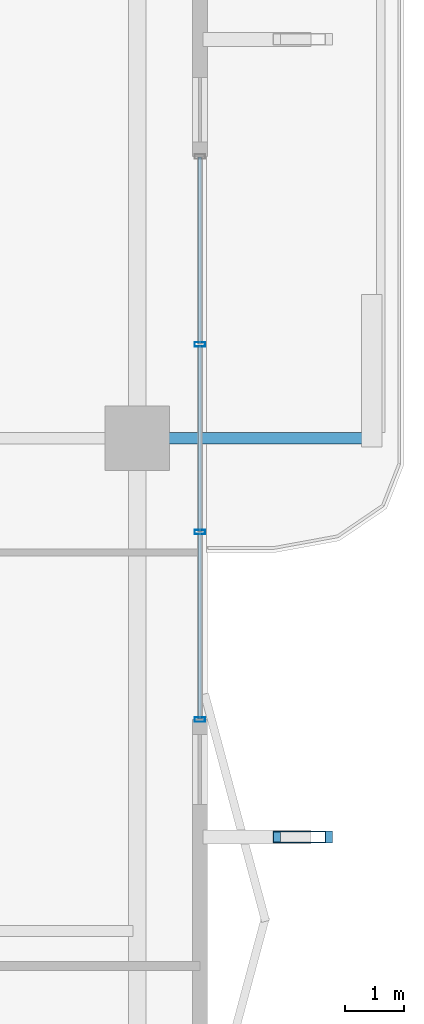
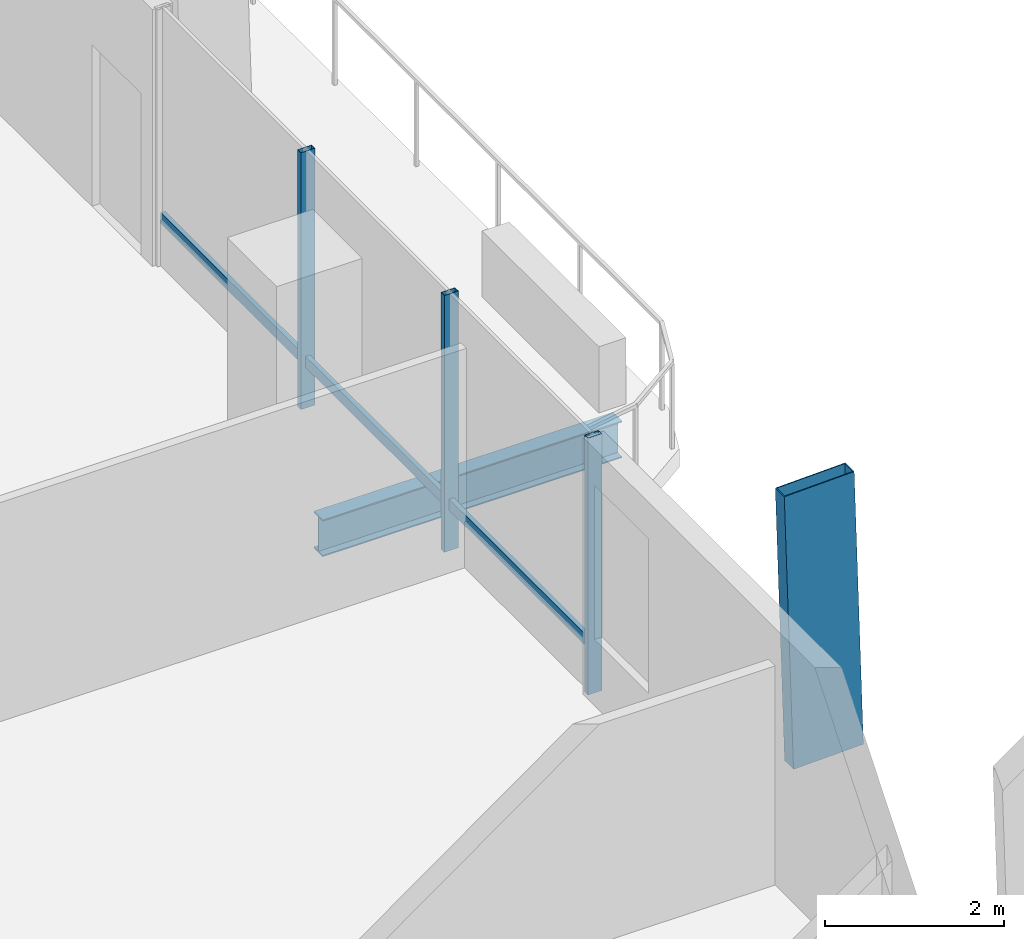
# One storey, part 10 of 24: 7 members, 1 beam, 1 element without a shape of its own.
"""IFC4 building model written with IfcOpenShell, lengths in metres."""

import ifcopenshell
import ifcopenshell.guid

model = None  # the IFC model being written
_history = None  # IfcOwnerHistory: only IFC2X3 demands one
_inside = {}  # id of a spatial element -> (the spatial element, [elements in it])
_under = {}  # id of a project, library or spatial element -> (it, [spatial elements below it])
_declared = {}  # id of a project -> (the project, [libraries it declares])
_typed = {}  # id of a type object -> (the type object, [elements of that type])
_made_of = {}  # id of a material, layer set ... -> (it, [elements and type objects made of it])


def new_model(schema):
    """Start an empty IFC model of exactly this schema.

    Asked for "IFC4X3", IfcOpenShell would pick the latest addendum, in which some entities
    have other attributes; the version numbers below select the first issue.
    IFC2X3 requires an IfcOwnerHistory on every rooted entity: one is made here for all.
    """
    global model, _history
    if schema == "IFC4X3":
        model = ifcopenshell.file(schema_version=(4, 3, 0, 0))
    else:
        model = ifcopenshell.file(schema=schema)
    _inside.clear()
    _under.clear()
    _declared.clear()
    _typed.clear()
    _made_of.clear()
    _history = None
    if model.schema == "IFC2X3":
        org = make("IfcOrganization", Name="unknown")
        user = make(
            "IfcPersonAndOrganization",
            ThePerson=make("IfcPerson", FamilyName="unknown"),
            TheOrganization=org,
        )
        app = make(
            "IfcApplication",
            ApplicationDeveloper=org,
            Version="unknown",
            ApplicationFullName="unknown",
            ApplicationIdentifier="unknown",
        )
        _history = make(
            "IfcOwnerHistory",
            OwningUser=user,
            OwningApplication=app,
            ChangeAction="ADDED",
            CreationDate=0,
        )
    return model


def make(cls, **values):
    """One entity of the class cls with the attributes given. An attribute that is None is left unset."""
    return model.create_entity(
        cls, **{name: value for name, value in values.items() if value is not None}
    )


def rooted(cls, **values):
    """An entity with a GlobalId (a new one), such as an element, a storey or a relation."""
    return make(cls, GlobalId=ifcopenshell.guid.new(), OwnerHistory=_history, **values)


def si_unit(unit_type, name, prefix=None):
    """IfcSIUnit, for example si_unit("LENGTHUNIT", "METRE", prefix="MILLI")."""
    return make("IfcSIUnit", UnitType=unit_type, Prefix=prefix, Name=name)


def assignment(units):
    """IfcUnitAssignment: the units of a project."""
    return None if units is None else make("IfcUnitAssignment", Units=units)


def point(xyz):
    """IfcCartesianPoint."""
    return None if xyz is None else make("IfcCartesianPoint", Coordinates=xyz)


def direction(xyz):
    """IfcDirection."""
    return None if xyz is None else make("IfcDirection", DirectionRatios=xyz)


def frame(location, z_axis=None, x_axis=None):
    """IfcAxis2Placement3D, a coordinate frame: its origin and axes. An axis left out is left unset."""
    return make(
        "IfcAxis2Placement3D",
        Location=point(location),
        Axis=direction(z_axis),
        RefDirection=direction(x_axis),
    )


def frame_2d(location, x_axis=None):
    """IfcAxis2Placement2D, a coordinate frame in the plane: its origin and x axis."""
    return make(
        "IfcAxis2Placement2D", Location=point(location), RefDirection=direction(x_axis)
    )


def origin():
    """The frame at (0, 0, 0) with its axes left unset."""
    return frame((0.0, 0.0, 0.0))


def origin_2d():
    """The frame at (0, 0) in the plane with its x axis left unset."""
    return frame_2d((0.0, 0.0))


def place(relative_to, where):
    """IfcLocalPlacement: puts the frame where relative to a parent placement (None: the world)."""
    return make(
        "IfcLocalPlacement", PlacementRelTo=relative_to, RelativePlacement=where
    )


def context(
    kind, dimensions, precision=None, world=None, true_north=None, identifier=None
):
    """IfcGeometricRepresentationContext, for example the 3D "Model" context."""
    return make(
        "IfcGeometricRepresentationContext",
        ContextIdentifier=identifier,
        ContextType=kind,
        CoordinateSpaceDimension=dimensions,
        Precision=precision,
        WorldCoordinateSystem=world,
        TrueNorth=true_north,
    )


def subcontext(parent, identifier, kind, view, scale=None):
    """IfcGeometricRepresentationSubContext, for example "Body" below "Model"."""
    return make(
        "IfcGeometricRepresentationSubContext",
        ContextIdentifier=identifier,
        ContextType=kind,
        ParentContext=parent,
        TargetScale=scale,
        TargetView=view,
    )


def project(units=None, contexts=None):
    """IfcProject with its units and contexts."""
    return rooted(
        "IfcProject",
        Name="project",
        RepresentationContexts=contexts,
        UnitsInContext=assignment(units),
    )


def spatial(cls, under=None, at=None, **own):
    """A site, building, storey or space (cls), placed at a placement, below another one or the project."""
    s = rooted(cls, ObjectPlacement=at, **own)
    if under is not None:
        _under.setdefault(under.id(), (under, []))[1].append(s)
    return s


def profile(cls, at=None, kind="AREA", **sizes):
    """A parametric profile (cls). Its sizes go by their IFC names, for example OverallWidth=200.0."""
    return make(cls, ProfileType=kind, Position=at, **sizes)


def hollow_rectangle(**sizes):
    """IfcRectangleHollowProfileDef."""
    return profile("IfcRectangleHollowProfileDef", **sizes)


def i_section(**sizes):
    """IfcIShapeProfileDef."""
    return profile("IfcIShapeProfileDef", **sizes)


def extrude(swept, where, along, depth):
    """IfcExtrudedAreaSolid: the profile swept, set in the frame where, extruded along a direction by depth."""
    return make(
        "IfcExtrudedAreaSolid",
        SweptArea=swept,
        Position=where,
        ExtrudedDirection=direction(along),
        Depth=depth,
    )


def shape(context_of_items, identifier, shape_type, items):
    """IfcShapeRepresentation: the items that make up one representation, for example the "Body"."""
    return make(
        "IfcShapeRepresentation",
        ContextOfItems=context_of_items,
        RepresentationIdentifier=identifier,
        RepresentationType=shape_type,
        Items=items,
    )


def material(Name=None, Category=None):
    """IfcMaterial."""
    return make("IfcMaterial", Name=Name, Category=Category)


def layer(
    of_material, thickness, ventilated=None, Name=None, Category=None, Priority=None
):
    """IfcMaterialLayer: one layer of a wall or slab, of a material (None: an air gap)."""
    return make(
        "IfcMaterialLayer",
        Material=of_material,
        LayerThickness=thickness,
        IsVentilated=ventilated,
        Name=Name,
        Category=Category,
        Priority=Priority,
    )


def layer_set(layers, Name=None):
    """IfcMaterialLayerSet."""
    return make("IfcMaterialLayerSet", MaterialLayers=layers, LayerSetName=Name)


def material_profile(
    of_material, cross_section, Name=None, Category=None, Priority=None
):
    """IfcMaterialProfile: a cross section and its material."""
    return make(
        "IfcMaterialProfile",
        Name=Name,
        Material=of_material,
        Profile=cross_section,
        Priority=Priority,
        Category=Category,
    )


def profile_set(profiles, Name=None, composite=None):
    """IfcMaterialProfileSet."""
    return make(
        "IfcMaterialProfileSet",
        Name=Name,
        MaterialProfiles=profiles,
        CompositeProfile=composite,
    )


def made_of(thing, what):
    """Note that an element or type object is made of a material, layer set ...; save() writes the relation."""
    if what is not None:
        _made_of.setdefault(what.id(), (what, []))[1].append(thing)
    return thing


def type_object(cls, material=None, **own):
    """A type object (cls), such as IfcWallType, which elements share."""
    return made_of(rooted(cls, **own), material)


def element(
    cls,
    number,
    at=None,
    inside=None,
    cuts=None,
    type_object=None,
    material=None,
    context=None,
    identifier="Body",
    shape_type=None,
    held_by="IfcProductDefinitionShape",
    body=None,
    shapes=None,
    **own,
):
    """One element of the class cls, such as IfcWall. Its Tag is "e" and its number.

    at: its placement. inside: the storey or other place that contains it. cuts: it is an
    opening in that element (IfcRelVoidsElement). A single representation is given by context,
    identifier, shape_type and body (its items); several are given by shapes. held_by: the class
    of the entity that holds the representations. save() writes the other relations.
    """
    e = rooted(cls, Tag="e%d" % number, ObjectPlacement=at, **own)
    if body is not None:
        shapes = [shape(context, identifier, shape_type, body)]
    if shapes is not None:
        e.Representation = make(held_by, Representations=shapes)
    if inside is not None:
        _inside.setdefault(inside.id(), (inside, []))[1].append(e)
    if cuts is not None:
        rooted(
            "IfcRelVoidsElement", RelatingBuildingElement=cuts, RelatedOpeningElement=e
        )
    if type_object is not None:
        _typed.setdefault(type_object.id(), (type_object, []))[1].append(e)
    return made_of(e, material)


def aggregate(whole, parts):
    """IfcRelAggregates: a whole, such as a stair, and the parts it consists of."""
    return rooted("IfcRelAggregates", RelatingObject=whole, RelatedObjects=parts)


def save(model, path):
    """Write the relations noted so far, then the file.

    IfcRelAggregates (storeys below a building ...), IfcRelContainedInSpatialStructure (elements
    in a storey), IfcRelDefinesByType, IfcRelAssociatesMaterial and IfcRelDeclares: one each for
    every whole, place, type object, material and project.
    """
    for whole, parts in _under.values():
        aggregate(whole, parts)
    for where, things in _inside.values():
        rooted(
            "IfcRelContainedInSpatialStructure",
            RelatedElements=things,
            RelatingStructure=where,
        )
    for kind, things in _typed.values():
        rooted("IfcRelDefinesByType", RelatedObjects=things, RelatingType=kind)
    for what, things in _made_of.values():
        rooted("IfcRelAssociatesMaterial", RelatedObjects=things, RelatingMaterial=what)
    for by, libraries in _declared.values():
        rooted("IfcRelDeclares", RelatingContext=by, RelatedDefinitions=libraries)
    model.write(path)


model = new_model("IFC4")

# Units and contexts
model_context = context("Model", 3, precision=1e-05, world=origin(), true_north=direction((0.0, 1.0)))
body_context = subcontext(model_context, "Body", "Model", "MODEL_VIEW")
ifc_project = project(units=[si_unit("LENGTHUNIT", "METRE"), si_unit("AREAUNIT", "SQUARE_METRE"), si_unit("VOLUMEUNIT", "CUBIC_METRE"), si_unit("PLANEANGLEUNIT", "RADIAN"), si_unit("MASSUNIT", "GRAM", prefix="KILO")], contexts=[model_context])

# Site, building, storey
site_placement = place(None, origin())
site = spatial("IfcSite", under=ifc_project, at=site_placement, CompositionType="ELEMENT")
building_placement = place(site_placement, origin())
building = spatial("IfcBuilding", under=site, at=building_placement, Name="Belovzor Exchange Tower", CompositionType="ELEMENT")
storey_placement = place(building_placement, frame((0.0, 0.0, 145.800048828125)))
storey = spatial("IfcBuildingStorey", under=building, at=storey_placement, Name="L35", CompositionType="ELEMENT", Elevation=145.800048828125)

# Beam
ifc_material_1 = material(Name="Steel S355", Category="steel")
ifc_material_profile_1 = material_profile(ifc_material_1, i_section(OverallWidth=0.199951171875, OverallDepth=0.5, WebThickness=0.01025390625, FlangeThickness=0.01611328125, at=origin_2d()))
ifc_profile_set_1 = profile_set([ifc_material_profile_1], Name="Steel S355")
beam_type = type_object("IfcBeamType", Name="Planted Balcony Cantilever Beam IPE 500", PredefinedType="BEAM", material=ifc_profile_set_1)
beam_placement = place(storey_placement, frame((52.202880859375, 28.800048828125, -0.505126953125), z_axis=(1.0, 0.0, 0.0), x_axis=(0.0, 1.0, 0.0)))
element("IfcBeam", 1, at=beam_placement, inside=storey, type_object=beam_type, Name="BC-500 Planted Balcony Cantilever Beam IPE 500", PredefinedType="BEAM", context=body_context, shape_type="SweptSolid", body=[
    extrude(i_section(OverallWidth=0.199951171875, OverallDepth=0.5, WebThickness=0.01025390625, FlangeThickness=0.01611328125, at=origin_2d()), origin(), (0.0, 0.0, 1.0), 3.85009765625),
])

# Member
ifc_material_2 = material(Name="Extruded Architectural Terracotta on Steel S355 Carrier", Category="masonry")
ifc_material_profile_2 = material_profile(ifc_material_2, hollow_rectangle(XDim=0.199951171875, YDim=0.89990234375, WallThickness=0.011962890625, at=origin_2d()))
ifc_profile_set_2 = profile_set([ifc_material_profile_2], Name="Extruded Architectural Terracotta on Steel S355 Carrier")
member_type_1 = type_object("IfcMemberType", Name="Sweeping Terracotta Baguette Fin Assembly 1250", PredefinedType="USERDEFINED", material=ifc_profile_set_2)
member_1_placement = place(storey_placement, frame((54.782958984375, 22.0, -0.255126953125), z_axis=(-0.031689805028, 0.0, 0.999497752002), x_axis=(0.0, -1.0, 0.0)))
element("IfcMember", 2, at=member_1_placement, inside=storey, type_object=member_type_1, Name="FIN-TC125 Terracotta Facade Fin L35 E2", ObjectType="FIN", PredefinedType="USERDEFINED", context=body_context, shape_type="SweptSolid", body=[
    extrude(hollow_rectangle(XDim=0.199951171875, YDim=0.89990234375, WallThickness=0.011962890625, at=origin_2d()), origin(), (0.0, 0.0, 1.0), 3.751953125),
])

# Curtain wall, members
ifc_material_3 = material(Name="Anodised Aluminium Framing", Category="aluminium")
ifc_layer = layer(ifc_material_3, 0.179931640625)
ifc_layer_set = layer_set([ifc_layer], Name="Anodised Aluminium Framing")
curtain_wall_type = type_object("IfcCurtainWallType", Name="Recessed Loggia Low-Iron Triple-Glazed Curtain Wall", PredefinedType="NOTDEFINED", material=ifc_layer_set)
curtain_wall_placement = place(storey_placement, origin())
curtain_wall = element("IfcCurtainWall", 3, at=curtain_wall_placement, inside=storey, type_object=curtain_wall_type, Name="CW3 Recessed Loggia Low-Iron Triple-Glazed Curtain Wall L35", PredefinedType="NOTDEFINED")
ifc_material_4 = material(Name="Steel S355", Category="steel")
ifc_material_profile_3 = material_profile(ifc_material_4, hollow_rectangle(XDim=0.074951171875, YDim=0.179931640625, WallThickness=0.0048828125, at=origin_2d()))
ifc_profile_set_3 = profile_set([ifc_material_profile_3], Name="Steel S355")
member_type_2 = type_object("IfcMemberType", Name="Thermally Broken Curtain Wall Mullion 180x75", PredefinedType="MULLION", material=ifc_profile_set_3)
member_2_placement = place(storey_placement, frame((52.969970703125, 30.39990234375, 0.0), z_axis=(0.0, 0.0, 1.0), x_axis=(0.0, -1.0, 0.0)))
member_2 = element("IfcMember", 4, at=member_2_placement, type_object=member_type_2, Name="CW-M180 Curtain Wall Mullion 2", PredefinedType="MULLION", context=body_context, shape_type="SweptSolid", body=[
    extrude(hollow_rectangle(XDim=0.074951171875, YDim=0.179931640625, WallThickness=0.0048828125, at=origin_2d()), origin(), (0.0, 0.0, 1.0), 3.494873046875),
])
member_3_placement = place(storey_placement, frame((52.969970703125, 27.199951171875, 0.0), z_axis=(0.0, 0.0, 1.0), x_axis=(0.0, -1.0, 0.0)))
member_3 = element("IfcMember", 5, at=member_3_placement, type_object=member_type_2, Name="CW-M180 Curtain Wall Mullion 3", PredefinedType="MULLION", context=body_context, shape_type="SweptSolid", body=[
    extrude(hollow_rectangle(XDim=0.074951171875, YDim=0.179931640625, WallThickness=0.0048828125, at=origin_2d()), origin(), (0.0, 0.0, 1.0), 3.494873046875),
])
member_4_placement = place(storey_placement, frame((52.969970703125, 24.0, 0.0), z_axis=(0.0, 0.0, 1.0), x_axis=(0.0, -1.0, 0.0)))
member_4 = element("IfcMember", 6, at=member_4_placement, type_object=member_type_2, Name="CW-M180 Curtain Wall Mullion 4", PredefinedType="MULLION", context=body_context, shape_type="SweptSolid", body=[
    extrude(hollow_rectangle(XDim=0.074951171875, YDim=0.179931640625, WallThickness=0.0048828125, at=origin_2d()), origin(), (0.0, 0.0, 1.0), 3.494873046875),
])
ifc_material_5 = material(Name="Steel S355", Category="steel")
ifc_material_profile_4 = material_profile(ifc_material_5, hollow_rectangle(XDim=0.06005859375, YDim=0.14990234375, WallThickness=0.00390625, at=origin_2d()))
ifc_profile_set_4 = profile_set([ifc_material_profile_4], Name="Steel S355")
member_type_3 = type_object("IfcMemberType", Name="Thermally Broken Curtain Wall Transom 150x60", PredefinedType="USERDEFINED", material=ifc_profile_set_4)
member_5_placement = place(storey_placement, frame((52.969970703125, 33.592041015625, 0.62890625), z_axis=(0.0, -1.0, 0.0), x_axis=(1.0, 0.0, 0.0)))
member_5 = element("IfcMember", 7, at=member_5_placement, type_object=member_type_3, Name="CW-T150 Curtain Wall Transom 1", ObjectType="TRANSOM", PredefinedType="USERDEFINED", context=body_context, shape_type="SweptSolid", body=[
    extrude(hollow_rectangle(XDim=0.06005859375, YDim=0.14990234375, WallThickness=0.00390625, at=origin_2d()), origin(), (0.0, 0.0, 1.0), 3.18408203125),
])
member_6_placement = place(storey_placement, frame((52.969970703125, 30.39208984375, 0.62890625), z_axis=(0.0, -1.0, 0.0), x_axis=(1.0, 0.0, 0.0)))
member_6 = element("IfcMember", 8, at=member_6_placement, type_object=member_type_3, Name="CW-T150 Curtain Wall Transom 2", ObjectType="TRANSOM", PredefinedType="USERDEFINED", context=body_context, shape_type="SweptSolid", body=[
    extrude(hollow_rectangle(XDim=0.06005859375, YDim=0.14990234375, WallThickness=0.00390625, at=origin_2d()), origin(), (0.0, 0.0, 1.0), 3.18408203125),
])
member_7_placement = place(storey_placement, frame((52.969970703125, 27.19189453125, 0.62890625), z_axis=(0.0, -1.0, 0.0), x_axis=(1.0, 0.0, 0.0)))
member_7 = element("IfcMember", 9, at=member_7_placement, type_object=member_type_3, Name="CW-T150 Curtain Wall Transom 3", ObjectType="TRANSOM", PredefinedType="USERDEFINED", context=body_context, shape_type="SweptSolid", body=[
    extrude(hollow_rectangle(XDim=0.06005859375, YDim=0.14990234375, WallThickness=0.00390625, at=origin_2d()), origin(), (0.0, 0.0, 1.0), 3.183837890625),
])
aggregate(curtain_wall, [member_2, member_3, member_4, member_5, member_6, member_7])

save(model, "model.ifc")
